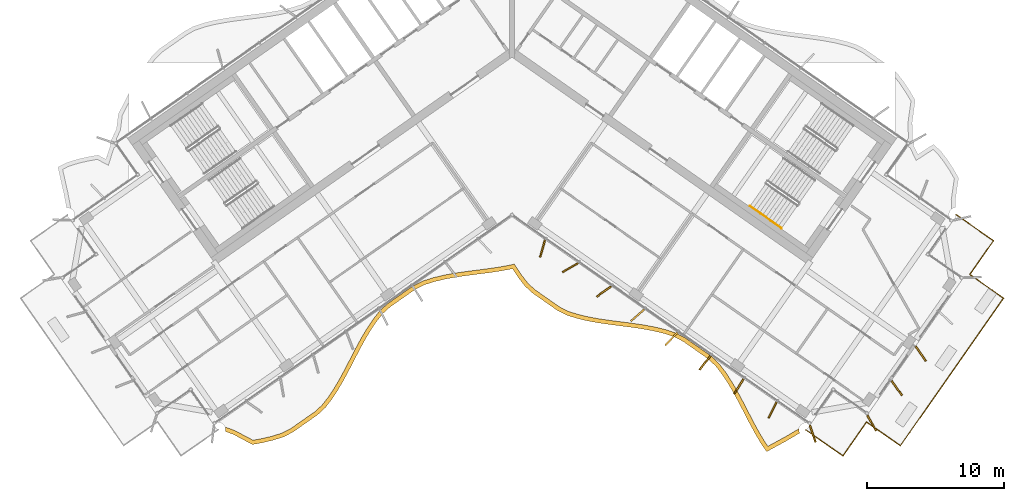
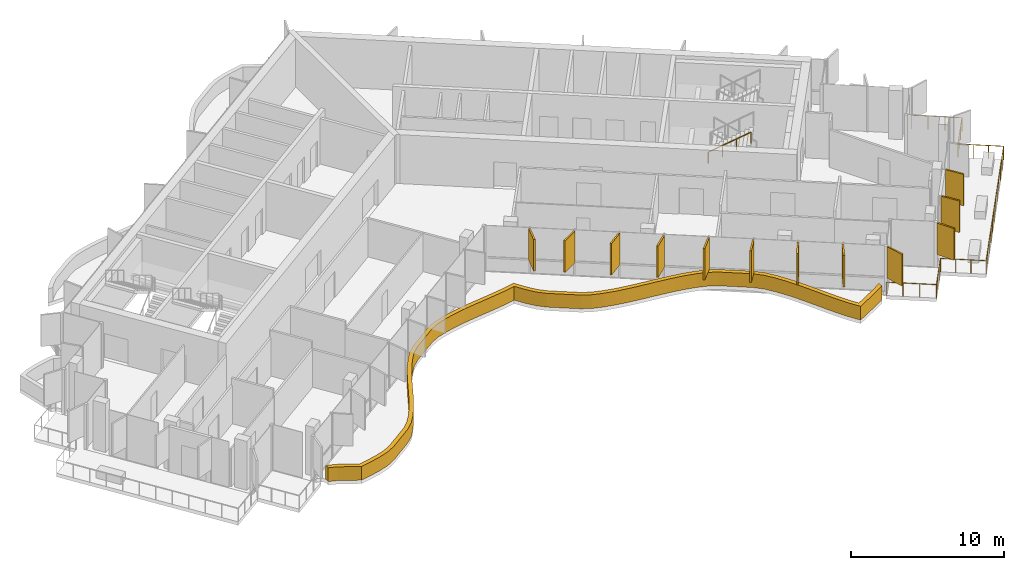
# One storey, part 18 of 21: 13 shading devices, 2 railings.
"""IFC4 building model written with IfcOpenShell, lengths in metres."""

from ifc_helpers import new_model, si_unit, direction, frame, origin, origin_2d, place, context, subcontext, project, spatial, polyline, rectangle, circle, outline, extrude, material, layer, layer_set, type_object, element, save


model = new_model("IFC4")

# Units and contexts
model_context = context("Model", 3, precision=1e-05, world=origin(), true_north=direction((0.0, 1.0)))
body_context = subcontext(model_context, "Body", "Model", "MODEL_VIEW")
ifc_project = project(units=[si_unit("LENGTHUNIT", "METRE"), si_unit("AREAUNIT", "SQUARE_METRE"), si_unit("VOLUMEUNIT", "CUBIC_METRE"), si_unit("PLANEANGLEUNIT", "RADIAN"), si_unit("MASSUNIT", "GRAM", prefix="KILO")], contexts=[model_context])

# Site, building, storey
site_placement = place(None, origin())
site = spatial("IfcSite", under=ifc_project, at=site_placement, CompositionType="ELEMENT")
building_placement = place(site_placement, origin())
building = spatial("IfcBuilding", under=site, at=building_placement, Name="Tel Ilan Convention Tower", CompositionType="ELEMENT")
storey_placement = place(building_placement, frame((0.0, 0.0, 225.39990234375)))
storey = spatial("IfcBuildingStorey", under=building, at=storey_placement, Name="L52", CompositionType="ELEMENT", Elevation=225.39990234375)

# Shading devices
ifc_material_1 = material(Name="Aluminium, bronze anodised", Category="aluminium")
ifc_layer_1 = layer(ifc_material_1, 0.1201171875)
ifc_layer_set_1 = layer_set([ifc_layer_1], Name="FIN BRONZE 1300x120")
shading_device_type_1 = type_object("IfcShadingDeviceType", Name="FIN BRONZE 1300x120", PredefinedType="USERDEFINED", material=ifc_layer_set_1)
for number, where, z_axis, x_axis, name in (
    (1, (27.986328125, -25.292724609375, 1.10009765625), (0.0, 0.0, 1.0), (0.581492071294, -0.813552070258, 0.0), "FIN"),
    (2, (29.735595703125, -22.79443359375, 1.10009765625), (0.0, 0.0, 1.0), (0.581492071294, -0.813552070258, 0.0), "FIN"),
    (3, (2.2216796875, -15.145751953125, 1.10009765625), (0.0, 0.0, 1.0), (-0.268172612768, -0.963370878614, 0.0), "FIN"),
    (4, (4.2373046875, -16.53466796875, 1.10009765625), (0.0, 0.0, 1.0), (-0.866025403784, -0.5, 0.0), "FIN"),
    (5, (6.681640625, -18.2685546875, 1.10009765625), (0.0, 0.0, 1.0), (-0.813552070258, -0.581492071294, 0.0), "FIN"),
    (6, (9.131103515625, -19.9990234375, 1.10009765625), (0.0, 0.0, 1.0), (-0.753435896329, -0.657521368568, 0.0), "FIN"),
    (7, (11.585205078125, -21.725341796875, 1.10009765625), (0.0, 0.0, 1.0), (-0.686241637865, -0.727373641577, 0.0), "FIN"),
    (8, (14.043701171875, -23.447021484375, 1.10009765625), (0.0, 0.0, 1.0), (-0.612600545196, -0.790392669516, 0.0), "FIN"),
    (9, (16.50244140625, -25.168701171875, 1.10009765625), (0.0, 0.0, 1.0), (-0.533204432798, -0.845986425922, 0.0), "FIN"),
    (10, (18.961181640625, -26.89013671875, 1.10009765625), (0.0, 0.0, 1.0), (-0.448799180206, -0.893632640321, 0.0), "FIN"),
    (11, (21.87060546875, -28.613037109375, 1.10009765625), (0.0, 0.0, 1.0), (0.314544756146, -0.949242643575, 0.0), "FIN"),
    (12, (26.165771484375, -27.83642578125, 1.10009765625), (0.0, 0.0, 1.0), (0.491579408049, -0.870832754082, 0.0), "FIN"),
):
    element("IfcShadingDevice", number, at=place(storey_placement, frame(where, z_axis=z_axis, x_axis=x_axis)), inside=storey, type_object=shading_device_type_1, Name=name, ObjectType="FIN", PredefinedType="USERDEFINED", context=body_context, shape_type="SweptSolid", body=[
        extrude(rectangle(XDim=1.300048828125, YDim=0.1201171875, at=origin_2d()), origin(), (0.0, 0.0, 1.0), 2.52001953125),
    ])
ifc_material_2 = material(Name="Aluminium, bronze anodised", Category="aluminium")
ifc_layer_2 = layer(ifc_material_2, 0.300048828125)
ifc_layer_set_2 = layer_set([ifc_layer_2], Name="LOUVRE BAND 300x1100")
shading_device_type_2 = type_object("IfcShadingDeviceType", Name="LOUVRE BAND 300x1100", PredefinedType="USERDEFINED", material=ifc_layer_set_2)
shading_device_placement = place(storey_placement, origin())
element("IfcShadingDevice", 13, at=shading_device_placement, inside=storey, type_object=shading_device_type_2, Name="LOUVRE BAND 41.04", ObjectType="LOUVRE", PredefinedType="USERDEFINED", context=body_context, shape_type="SweptSolid", body=[
    extrude(outline(polyline([(-20.8681640625, -28.13134765625), (-20.849365234375, -28.199951171875), (-20.837646484375, -28.29736328125), (-20.84521484375, -28.39501953125), (-20.858154296875, -28.4521484375), (-20.311279296875, -28.64013671875), (-18.883544921875, -29.3984375), (-18.087646484375, -29.25439453125), (-17.32080078125, -29.068359375), (-16.588623046875, -28.833251953125), (-15.931640625, -28.490478515625), (-14.12646484375, -27.226318359375), (-13.582763671875, -26.721923828125), (-13.1123046875, -26.113037109375), (-12.67626953125, -25.454833984375), (-12.267333984375, -24.7578125), (-11.87744140625, -24.0341796875), (-11.11572265625, -22.56005859375), (-10.724853515625, -21.83740234375), (-10.314697265625, -21.142333984375), (-9.877197265625, -20.486572265625), (-9.404541015625, -19.88037109375), (-8.85498046875, -19.384765625), (-7.049560546875, -18.12060546875), (-6.386474609375, -17.78662109375), (-5.65234375, -17.55419921875), (-4.884033203125, -17.370849609375), (-4.088623046875, -17.225830078125), (-3.274658203125, -17.107421875), (-1.629150390625, -16.895751953125), (-0.816650390625, -16.775146484375), (0.033203125, -16.6123046875), (0.470458984375, -17.269775390625), (0.94189453125, -17.877197265625), (1.488525390625, -18.377197265625), (3.2939453125, -19.641357421875), (3.953857421875, -19.979736328125), (4.68701171875, -20.213623046875), (5.45458984375, -20.398193359375), (6.24951171875, -20.5439453125), (7.06298828125, -20.6630859375), (8.70849609375, -20.87451171875), (9.521240234375, -20.99462890625), (10.314697265625, -21.142333984375), (11.080810546875, -21.329345703125), (11.811767578125, -21.56591796875), (12.4658203125, -21.912841796875), (14.27099609375, -23.177001953125), (14.811767578125, -23.685791015625), (15.28125, -24.29638671875), (15.71630859375, -24.95556640625), (16.12451171875, -25.653564453125), (16.51416015625, -26.3779296875), (17.27587890625, -27.851806640625), (17.6669921875, -28.573974609375), (18.077880859375, -29.26806640625), (18.5185546875, -29.91943359375), (19.969482421875, -29.128173828125), (20.927001953125, -28.56591796875), (20.902587890625, -28.510986328125), (20.8759765625, -28.416748046875), (20.86865234375, -28.31884765625), (20.87353515625, -28.24951171875), (19.82177734375, -28.866943359375), (18.6142578125, -29.525634765625), (18.331298828125, -29.107666015625), (17.92822265625, -28.426025390625), (17.541015625, -27.71142578125), (16.779541015625, -26.238037109375), (16.38623046875, -25.506591796875), (15.97119140625, -24.797119140625), (15.525634765625, -24.1220703125), (15.034912109375, -23.48388671875), (14.4609375, -22.94384765625), (12.62255859375, -21.656494140625), (11.92919921875, -21.288818359375), (11.16259765625, -21.04052734375), (10.3779296875, -20.848876953125), (9.570556640625, -20.69873046875), (8.749755859375, -20.577392578125), (7.103759765625, -20.36572265625), (6.29833984375, -20.248046875), (5.516845703125, -20.1044921875), (4.767822265625, -19.924560546875), (4.068603515625, -19.701416015625), (3.44921875, -19.3837890625), (1.6767578125, -18.142822265625), (1.163330078125, -17.673095703125), (0.714111328125, -17.094482421875), (0.165771484375, -16.269775390625), (-0.087890625, -16.33349609375), (-0.866455078125, -16.479248046875), (-1.67041015625, -16.5986328125), (-3.315185546875, -16.81005859375), (-4.136962890625, -16.9296875), (-4.945556640625, -17.0771484375), (-5.732666015625, -17.264892578125), (-6.5, -17.5078125), (-7.203857421875, -17.8623046875), (-9.042236328125, -19.1494140625), (-9.625, -19.67529296875), (-10.12060546875, -20.310791015625), (-10.56884765625, -20.982666015625), (-10.986083984375, -21.68994140625), (-11.380859375, -22.419677734375), (-12.142578125, -23.89404296875), (-12.529052734375, -24.61083984375), (-12.930908203125, -25.2958984375), (-13.356201171875, -25.938232421875), (-13.804931640625, -26.518798828125), (-14.315185546875, -26.992431640625), (-16.087890625, -28.233642578125), (-16.704833984375, -28.555419921875), (-17.402099609375, -28.779541015625), (-18.149658203125, -28.960693359375), (-18.83447265625, -29.084716796875), (-20.19140625, -28.3642578125), (-20.8681640625, -28.13134765625)])), origin(), (0.0, 0.0, 1.0), 1.10009765625),
])

# Railings
ifc_material_3 = material(Name="Stainless Steel Grade 316", Category="steel")
railing_type_1 = type_object("IfcRailingType", Name="Stainless Steel Stair Handrail 900 mm", PredefinedType="HANDRAIL", material=ifc_material_3)
railing_1_placement = place(storey_placement, frame((17.312744140625, -12.0615234375, 2.12744140625)))
element("IfcRailing", 14, at=railing_1_placement, inside=storey, type_object=railing_type_1, Name="L52 S4 stair handrail 2", PredefinedType="HANDRAIL", context=body_context, shape_type="SweptSolid", body=[
    extrude(circle(Radius=0.02392578125, at=origin_2d()), frame((0.0, 0.0, 0.8759765625), z_axis=(0.692123088272, -0.484596665743, 0.534912798717), x_axis=(0.573550118428, 0.819170471667, 0.0)), (0.0, 0.0, 1.0), 3.31396484375),
    extrude(circle(Radius=0.02099609375, at=origin_2d()), origin(), (0.0, 0.0, 1.0), 0.851806640625),
    extrude(circle(Radius=0.02099609375, at=origin_2d()), frame((0.7646484375, -0.535400390625, 0.5908203125)), (0.0, 0.0, 1.0), 0.851806640625),
    extrude(circle(Radius=0.02099609375, at=origin_2d()), frame((1.529052734375, -1.070556640625, 1.181884765625)), (0.0, 0.0, 1.0), 0.851806640625),
    extrude(circle(Radius=0.02099609375, at=origin_2d()), frame((2.293701171875, -1.60595703125, 1.772705078125)), (0.0, 0.0, 1.0), 0.851806640625),
])
ifc_material_4 = material(Name="Stainless steel S316", Category="steel")
railing_type_2 = type_object("IfcRailingType", Name="TERRACE GUARD 1100", PredefinedType="GUARDRAIL", material=ifc_material_4)
railing_2_placement = place(storey_placement, frame((32.292236328125, -12.661865234375, 0.0)))
element("IfcRailing", 15, at=railing_2_placement, inside=storey, type_object=railing_type_2, Name="Terrace guard 41.01", PredefinedType="GUARDRAIL", context=body_context, shape_type="SweptSolid", body=[
    extrude(circle(Radius=0.02490234375, at=origin_2d()), frame((0.0, 0.0, 1.0751953125), z_axis=(0.819128736864, -0.573609721364, 0.0), x_axis=(0.573609721364, 0.819128736864, 0.0)), (0.0, 0.0, 1.0), 3.335205078125),
    extrude(circle(Radius=0.02490234375, at=origin_2d()), frame((2.73193359375, -1.9130859375, 1.0751953125), z_axis=(-0.573560650686, -0.819163097304, 0.0), x_axis=(0.819163097304, -0.573560650686, 0.0)), (0.0, 0.0, 1.0), 3.0),
    extrude(circle(Radius=0.02490234375, at=origin_2d()), frame((1.01123046875, -4.37060546875, 1.0751953125), z_axis=(0.819163097304, -0.573560650686, 0.0), x_axis=(0.573560650686, 0.819163097304, 0.0)), (0.0, 0.0, 1.0), 3.0),
    extrude(circle(Radius=0.02490234375, at=origin_2d()), frame((3.46875, -6.09130859375, 1.0751953125), z_axis=(-0.573586166511, -0.819145231071, 0.0), x_axis=(0.819145231071, -0.573586166511, 0.0)), (0.0, 0.0, 1.0), 13.099853515625),
    extrude(circle(Radius=0.02490234375, at=origin_2d()), frame((-4.045166015625, -16.822021484375, 1.0751953125), z_axis=(-0.819136323161, 0.573598887793, 0.0), x_axis=(-0.573598887793, -0.819136323161, 0.0)), (0.0, 0.0, 1.0), 2.999755859375),
    extrude(circle(Radius=0.02490234375, at=origin_2d()), frame((-6.50244140625, -15.101318359375, 1.0751953125), z_axis=(-0.573615254604, -0.819124862085, 0.0), x_axis=(0.819124862085, -0.573615254604, 0.0)), (0.0, 0.0, 1.0), 3.000244140625),
    extrude(circle(Radius=0.02490234375, at=origin_2d()), frame((-8.223388671875, -17.558837890625, 1.0751953125), z_axis=(-0.819151890497, 0.573576655989, 0.0), x_axis=(-0.573576655989, -0.819151890497, 0.0)), (0.0, 0.0, 1.0), 3.296630859375),
    extrude(circle(Radius=0.02490234375, at=origin_2d()), origin(), (0.0, 0.0, 1.0), 1.050048828125),
    extrude(circle(Radius=0.02490234375, at=origin_2d()), frame((0.91064453125, -0.6376953125, 0.0)), (0.0, 0.0, 1.0), 1.050048828125),
    extrude(circle(Radius=0.02490234375, at=origin_2d()), frame((1.8212890625, -1.275390625, 0.0)), (0.0, 0.0, 1.0), 1.050048828125),
    extrude(circle(Radius=0.02490234375, at=origin_2d()), frame((2.73193359375, -1.9130859375, 0.0)), (0.0, 0.0, 1.0), 1.050048828125),
    extrude(circle(Radius=0.02490234375, at=origin_2d()), frame((2.158447265625, -2.732177734375, 0.0)), (0.0, 0.0, 1.0), 1.050048828125),
    extrude(circle(Radius=0.02490234375, at=origin_2d()), frame((1.584716796875, -3.551513671875, 0.0)), (0.0, 0.0, 1.0), 1.050048828125),
    extrude(circle(Radius=0.02490234375, at=origin_2d()), frame((1.01123046875, -4.37060546875, 0.0)), (0.0, 0.0, 1.0), 1.050048828125),
    extrude(circle(Radius=0.02490234375, at=origin_2d()), frame((1.830322265625, -4.944091796875, 0.0)), (0.0, 0.0, 1.0), 1.050048828125),
    extrude(circle(Radius=0.02490234375, at=origin_2d()), frame((2.649658203125, -5.517822265625, 0.0)), (0.0, 0.0, 1.0), 1.050048828125),
    extrude(circle(Radius=0.02490234375, at=origin_2d()), frame((3.46875, -6.09130859375, 0.0)), (0.0, 0.0, 1.0), 1.050048828125),
    extrude(circle(Radius=0.02490234375, at=origin_2d()), frame((2.78564453125, -7.06689453125, 0.0)), (0.0, 0.0, 1.0), 1.050048828125),
    extrude(circle(Radius=0.02490234375, at=origin_2d()), frame((2.1025390625, -8.042236328125, 0.0)), (0.0, 0.0, 1.0), 1.050048828125),
    extrude(circle(Radius=0.02490234375, at=origin_2d()), frame((1.41943359375, -9.017822265625, 0.0)), (0.0, 0.0, 1.0), 1.050048828125),
    extrude(circle(Radius=0.02490234375, at=origin_2d()), frame((0.736328125, -9.993408203125, 0.0)), (0.0, 0.0, 1.0), 1.050048828125),
    extrude(circle(Radius=0.02490234375, at=origin_2d()), frame((0.05322265625, -10.968994140625, 0.0)), (0.0, 0.0, 1.0), 1.050048828125),
    extrude(circle(Radius=0.02490234375, at=origin_2d()), frame((-0.629638671875, -11.9443359375, 0.0)), (0.0, 0.0, 1.0), 1.050048828125),
    extrude(circle(Radius=0.02490234375, at=origin_2d()), frame((-1.312744140625, -12.919921875, 0.0)), (0.0, 0.0, 1.0), 1.050048828125),
    extrude(circle(Radius=0.02490234375, at=origin_2d()), frame((-1.995849609375, -13.8955078125, 0.0)), (0.0, 0.0, 1.0), 1.050048828125),
    extrude(circle(Radius=0.02490234375, at=origin_2d()), frame((-2.678955078125, -14.87109375, 0.0)), (0.0, 0.0, 1.0), 1.050048828125),
    extrude(circle(Radius=0.02490234375, at=origin_2d()), frame((-3.362060546875, -15.846435546875, 0.0)), (0.0, 0.0, 1.0), 1.050048828125),
    extrude(circle(Radius=0.02490234375, at=origin_2d()), frame((-4.045166015625, -16.822021484375, 0.0)), (0.0, 0.0, 1.0), 1.050048828125),
    extrude(circle(Radius=0.02490234375, at=origin_2d()), frame((-4.8642578125, -16.24853515625, 0.0)), (0.0, 0.0, 1.0), 1.050048828125),
    extrude(circle(Radius=0.02490234375, at=origin_2d()), frame((-5.683349609375, -15.6748046875, 0.0)), (0.0, 0.0, 1.0), 1.050048828125),
    extrude(circle(Radius=0.02490234375, at=origin_2d()), frame((-6.50244140625, -15.101318359375, 0.0)), (0.0, 0.0, 1.0), 1.050048828125),
    extrude(circle(Radius=0.02490234375, at=origin_2d()), frame((-7.076171875, -15.92041015625, 0.0)), (0.0, 0.0, 1.0), 1.050048828125),
    extrude(circle(Radius=0.02490234375, at=origin_2d()), frame((-7.649658203125, -16.73974609375, 0.0)), (0.0, 0.0, 1.0), 1.050048828125),
    extrude(circle(Radius=0.02490234375, at=origin_2d()), frame((-8.223388671875, -17.558837890625, 0.0)), (0.0, 0.0, 1.0), 1.050048828125),
    extrude(circle(Radius=0.02490234375, at=origin_2d()), frame((-9.12353515625, -16.928466796875, 0.0)), (0.0, 0.0, 1.0), 1.050048828125),
    extrude(circle(Radius=0.02490234375, at=origin_2d()), frame((-10.023681640625, -16.29833984375, 0.0)), (0.0, 0.0, 1.0), 1.050048828125),
    extrude(circle(Radius=0.02490234375, at=origin_2d()), frame((-10.923828125, -15.66796875, 0.0)), (0.0, 0.0, 1.0), 1.050048828125),
])

save(model, "model.ifc")
